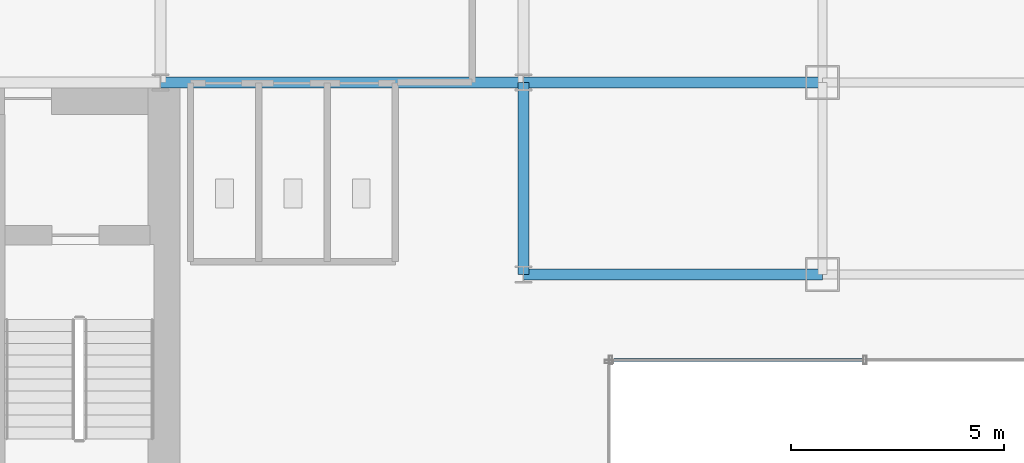
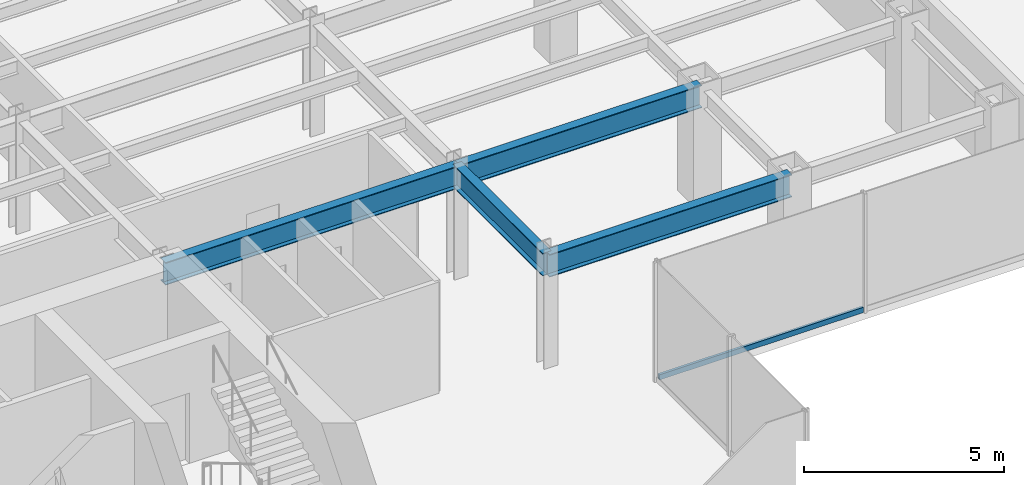
# One storey, part 9 of 25: 4 beams, 1 member, 1 element without a shape of its own.
"""IFC4 building model written with IfcOpenShell, lengths in metres."""

import ifcopenshell
import ifcopenshell.guid

model = None  # the IFC model being written
_history = None  # IfcOwnerHistory: only IFC2X3 demands one
_inside = {}  # id of a spatial element -> (the spatial element, [elements in it])
_under = {}  # id of a project, library or spatial element -> (it, [spatial elements below it])
_declared = {}  # id of a project -> (the project, [libraries it declares])
_typed = {}  # id of a type object -> (the type object, [elements of that type])
_made_of = {}  # id of a material, layer set ... -> (it, [elements and type objects made of it])


def new_model(schema):
    """Start an empty IFC model of exactly this schema.

    Asked for "IFC4X3", IfcOpenShell would pick the latest addendum, in which some entities
    have other attributes; the version numbers below select the first issue.
    IFC2X3 requires an IfcOwnerHistory on every rooted entity: one is made here for all.
    """
    global model, _history
    if schema == "IFC4X3":
        model = ifcopenshell.file(schema_version=(4, 3, 0, 0))
    else:
        model = ifcopenshell.file(schema=schema)
    _inside.clear()
    _under.clear()
    _declared.clear()
    _typed.clear()
    _made_of.clear()
    _history = None
    if model.schema == "IFC2X3":
        org = make("IfcOrganization", Name="unknown")
        user = make(
            "IfcPersonAndOrganization",
            ThePerson=make("IfcPerson", FamilyName="unknown"),
            TheOrganization=org,
        )
        app = make(
            "IfcApplication",
            ApplicationDeveloper=org,
            Version="unknown",
            ApplicationFullName="unknown",
            ApplicationIdentifier="unknown",
        )
        _history = make(
            "IfcOwnerHistory",
            OwningUser=user,
            OwningApplication=app,
            ChangeAction="ADDED",
            CreationDate=0,
        )
    return model


def make(cls, **values):
    """One entity of the class cls with the attributes given. An attribute that is None is left unset."""
    return model.create_entity(
        cls, **{name: value for name, value in values.items() if value is not None}
    )


def rooted(cls, **values):
    """An entity with a GlobalId (a new one), such as an element, a storey or a relation."""
    return make(cls, GlobalId=ifcopenshell.guid.new(), OwnerHistory=_history, **values)


def si_unit(unit_type, name, prefix=None):
    """IfcSIUnit, for example si_unit("LENGTHUNIT", "METRE", prefix="MILLI")."""
    return make("IfcSIUnit", UnitType=unit_type, Prefix=prefix, Name=name)


def derived_unit(unit_type, elements):
    """IfcDerivedUnit: a product of units, each with its exponent."""
    return make(
        "IfcDerivedUnit",
        Elements=[
            make("IfcDerivedUnitElement", Unit=unit, Exponent=power)
            for unit, power in elements
        ],
        UnitType=unit_type,
    )


def assignment(units):
    """IfcUnitAssignment: the units of a project."""
    return None if units is None else make("IfcUnitAssignment", Units=units)


def point(xyz):
    """IfcCartesianPoint."""
    return None if xyz is None else make("IfcCartesianPoint", Coordinates=xyz)


def direction(xyz):
    """IfcDirection."""
    return None if xyz is None else make("IfcDirection", DirectionRatios=xyz)


def frame(location, z_axis=None, x_axis=None):
    """IfcAxis2Placement3D, a coordinate frame: its origin and axes. An axis left out is left unset."""
    return make(
        "IfcAxis2Placement3D",
        Location=point(location),
        Axis=direction(z_axis),
        RefDirection=direction(x_axis),
    )


def frame_2d(location, x_axis=None):
    """IfcAxis2Placement2D, a coordinate frame in the plane: its origin and x axis."""
    return make(
        "IfcAxis2Placement2D", Location=point(location), RefDirection=direction(x_axis)
    )


def origin():
    """The frame at (0, 0, 0) with its axes left unset."""
    return frame((0.0, 0.0, 0.0))


def origin_2d():
    """The frame at (0, 0) in the plane with its x axis left unset."""
    return frame_2d((0.0, 0.0))


def place(relative_to, where):
    """IfcLocalPlacement: puts the frame where relative to a parent placement (None: the world)."""
    return make(
        "IfcLocalPlacement", PlacementRelTo=relative_to, RelativePlacement=where
    )


def context(
    kind, dimensions, precision=None, world=None, true_north=None, identifier=None
):
    """IfcGeometricRepresentationContext, for example the 3D "Model" context."""
    return make(
        "IfcGeometricRepresentationContext",
        ContextIdentifier=identifier,
        ContextType=kind,
        CoordinateSpaceDimension=dimensions,
        Precision=precision,
        WorldCoordinateSystem=world,
        TrueNorth=true_north,
    )


def subcontext(parent, identifier, kind, view, scale=None):
    """IfcGeometricRepresentationSubContext, for example "Body" below "Model"."""
    return make(
        "IfcGeometricRepresentationSubContext",
        ContextIdentifier=identifier,
        ContextType=kind,
        ParentContext=parent,
        TargetScale=scale,
        TargetView=view,
    )


def project(units=None, contexts=None):
    """IfcProject with its units and contexts."""
    return rooted(
        "IfcProject",
        Name="project",
        RepresentationContexts=contexts,
        UnitsInContext=assignment(units),
    )


def spatial(cls, under=None, at=None, **own):
    """A site, building, storey or space (cls), placed at a placement, below another one or the project."""
    s = rooted(cls, ObjectPlacement=at, **own)
    if under is not None:
        _under.setdefault(under.id(), (under, []))[1].append(s)
    return s


def profile(cls, at=None, kind="AREA", **sizes):
    """A parametric profile (cls). Its sizes go by their IFC names, for example OverallWidth=200.0."""
    return make(cls, ProfileType=kind, Position=at, **sizes)


def hollow_rectangle(**sizes):
    """IfcRectangleHollowProfileDef."""
    return profile("IfcRectangleHollowProfileDef", **sizes)


def i_section(**sizes):
    """IfcIShapeProfileDef."""
    return profile("IfcIShapeProfileDef", **sizes)


def extrude(swept, where, along, depth):
    """IfcExtrudedAreaSolid: the profile swept, set in the frame where, extruded along a direction by depth."""
    return make(
        "IfcExtrudedAreaSolid",
        SweptArea=swept,
        Position=where,
        ExtrudedDirection=direction(along),
        Depth=depth,
    )


def shape(context_of_items, identifier, shape_type, items):
    """IfcShapeRepresentation: the items that make up one representation, for example the "Body"."""
    return make(
        "IfcShapeRepresentation",
        ContextOfItems=context_of_items,
        RepresentationIdentifier=identifier,
        RepresentationType=shape_type,
        Items=items,
    )


def source(mapping_origin, context_of_items, identifier, shape_type, items):
    """IfcRepresentationMap: a shape defined once, which mapped items show again and again."""
    return make(
        "IfcRepresentationMap",
        MappingOrigin=mapping_origin,
        MappedRepresentation=shape(context_of_items, identifier, shape_type, items),
    )


def transform(
    local_origin,
    x_axis=None,
    y_axis=None,
    z_axis=None,
    scale=None,
    scale2=None,
    scale3=None,
    uniform=True,
):
    """IfcCartesianTransformationOperator3D, or its non-uniform kind. x_axis, y_axis, z_axis: its Axis1, 2, 3."""
    if uniform:
        return make(
            "IfcCartesianTransformationOperator3D",
            Axis1=direction(x_axis),
            Axis2=direction(y_axis),
            LocalOrigin=point(local_origin),
            Scale=scale,
            Axis3=direction(z_axis),
        )
    return make(
        "IfcCartesianTransformationOperator3DnonUniform",
        Axis1=direction(x_axis),
        Axis2=direction(y_axis),
        LocalOrigin=point(local_origin),
        Scale=scale,
        Axis3=direction(z_axis),
        Scale2=scale2,
        Scale3=scale3,
    )


def mapped(mapping_source, mapping_target):
    """IfcMappedItem: shows the shape of a source again, moved by a transform."""
    return make(
        "IfcMappedItem", MappingSource=mapping_source, MappingTarget=mapping_target
    )


def material(Name=None, Category=None):
    """IfcMaterial."""
    return make("IfcMaterial", Name=Name, Category=Category)


def material_profile(
    of_material, cross_section, Name=None, Category=None, Priority=None
):
    """IfcMaterialProfile: a cross section and its material."""
    return make(
        "IfcMaterialProfile",
        Name=Name,
        Material=of_material,
        Profile=cross_section,
        Priority=Priority,
        Category=Category,
    )


def profile_set(profiles, Name=None, composite=None):
    """IfcMaterialProfileSet."""
    return make(
        "IfcMaterialProfileSet",
        Name=Name,
        MaterialProfiles=profiles,
        CompositeProfile=composite,
    )


def made_of(thing, what):
    """Note that an element or type object is made of a material, layer set ...; save() writes the relation."""
    if what is not None:
        _made_of.setdefault(what.id(), (what, []))[1].append(thing)
    return thing


def type_object(cls, material=None, **own):
    """A type object (cls), such as IfcWallType, which elements share."""
    return made_of(rooted(cls, **own), material)


def element(
    cls,
    number,
    at=None,
    inside=None,
    cuts=None,
    type_object=None,
    material=None,
    context=None,
    identifier="Body",
    shape_type=None,
    held_by="IfcProductDefinitionShape",
    body=None,
    shapes=None,
    **own,
):
    """One element of the class cls, such as IfcWall. Its Tag is "e" and its number.

    at: its placement. inside: the storey or other place that contains it. cuts: it is an
    opening in that element (IfcRelVoidsElement). A single representation is given by context,
    identifier, shape_type and body (its items); several are given by shapes. held_by: the class
    of the entity that holds the representations. save() writes the other relations.
    """
    e = rooted(cls, Tag="e%d" % number, ObjectPlacement=at, **own)
    if body is not None:
        shapes = [shape(context, identifier, shape_type, body)]
    if shapes is not None:
        e.Representation = make(held_by, Representations=shapes)
    if inside is not None:
        _inside.setdefault(inside.id(), (inside, []))[1].append(e)
    if cuts is not None:
        rooted(
            "IfcRelVoidsElement", RelatingBuildingElement=cuts, RelatedOpeningElement=e
        )
    if type_object is not None:
        _typed.setdefault(type_object.id(), (type_object, []))[1].append(e)
    return made_of(e, material)


def aggregate(whole, parts):
    """IfcRelAggregates: a whole, such as a stair, and the parts it consists of."""
    return rooted("IfcRelAggregates", RelatingObject=whole, RelatedObjects=parts)


def save(model, path):
    """Write the relations noted so far, then the file.

    IfcRelAggregates (storeys below a building ...), IfcRelContainedInSpatialStructure (elements
    in a storey), IfcRelDefinesByType, IfcRelAssociatesMaterial and IfcRelDeclares: one each for
    every whole, place, type object, material and project.
    """
    for whole, parts in _under.values():
        aggregate(whole, parts)
    for where, things in _inside.values():
        rooted(
            "IfcRelContainedInSpatialStructure",
            RelatedElements=things,
            RelatingStructure=where,
        )
    for kind, things in _typed.values():
        rooted("IfcRelDefinesByType", RelatedObjects=things, RelatingType=kind)
    for what, things in _made_of.values():
        rooted("IfcRelAssociatesMaterial", RelatedObjects=things, RelatingMaterial=what)
    for by, libraries in _declared.values():
        rooted("IfcRelDeclares", RelatingContext=by, RelatedDefinitions=libraries)
    model.write(path)


model = new_model("IFC4")

# Units and contexts
model_context = context("Model", 3, precision=1e-05, world=origin(), true_north=direction((0.0, 1.0)))
body_context = subcontext(model_context, "Body", "Model", "MODEL_VIEW")
ifc_project = project(units=[si_unit("LENGTHUNIT", "METRE"), si_unit("AREAUNIT", "SQUARE_METRE"), si_unit("VOLUMEUNIT", "CUBIC_METRE"), si_unit("PLANEANGLEUNIT", "RADIAN"), si_unit("MASSUNIT", "GRAM", prefix="KILO"), derived_unit("THERMALTRANSMITTANCEUNIT", [(si_unit("POWERUNIT", "WATT"), 1), (si_unit("LENGTHUNIT", "METRE"), -2), (si_unit("THERMODYNAMICTEMPERATUREUNIT", "KELVIN"), -1)])], contexts=[model_context])

# Site, building, storey
site_placement = place(None, origin())
site = spatial("IfcSite", under=ifc_project, at=site_placement, CompositionType="ELEMENT")
building_placement = place(site_placement, origin())
building = spatial("IfcBuilding", under=site, at=building_placement, Name="Skarnbrae Concourse Arena and Tower", CompositionType="ELEMENT")
storey_placement = place(building_placement, frame((0.0, 0.0, 88.64990234375)))
storey = spatial("IfcBuildingStorey", under=building, at=storey_placement, Name="L21", CompositionType="ELEMENT", Elevation=88.64990234375)

# Beams
ifc_material_1 = material(Name="Steel CSA G40.21 350W", Category="steel")
ifc_material_profile_1 = material_profile(ifc_material_1, i_section(OverallWidth=0.256103515625, OverallDepth=0.693115234375, WebThickness=0.014404296875, FlangeThickness=0.023681640625, at=origin_2d()), Name="W690X170")
ifc_profile_set_1 = profile_set([ifc_material_profile_1], Name="Steel CSA G40.21 350W")
beam_type = type_object("IfcBeamType", Name="BM-GIRD-W690X170", PredefinedType="BEAM", material=ifc_profile_set_1)
shared_shape_1 = source(origin(), body_context, "Body", "SweptSolid", [
    extrude(i_section(OverallWidth=0.256103515625, OverallDepth=0.693115234375, WebThickness=0.014404296875, FlangeThickness=0.023681640625, at=origin_2d()), origin(), (0.0, 0.0, 1.0), 7.0),
])
for number, where, z_axis, x_axis, name in (
    (1, (42.0, 9.5, 3.0537109375), (1.0, 0.0, 0.0), (0.0, 1.0, 0.0), "L21 Primary E-W girder Y9.5-2"),
    (2, (42.0, 14.0, 3.0537109375), (1.0, 0.0, 0.0), (0.0, 1.0, 0.0), "L21 Primary E-W girder Y14.0-7"),
):
    element("IfcBeam", number, at=place(storey_placement, frame(where, z_axis=z_axis, x_axis=x_axis)), inside=storey, type_object=beam_type, Name=name, PredefinedType="BEAM", context=body_context, shape_type="MappedRepresentation", body=[
        mapped(shared_shape_1, transform((0.0, 0.0, 0.0))),
    ])
shared_shape_2 = source(origin(), body_context, "Body", "SweptSolid", [
    extrude(i_section(OverallWidth=0.256103515625, OverallDepth=0.693115234375, WebThickness=0.014404296875, FlangeThickness=0.023681640625, at=origin_2d()), origin(), (0.0, 0.0, 1.0), 8.5),
])
beam_1_placement = place(storey_placement, frame((33.5, 14.0, 3.0537109375), z_axis=(1.0, 0.0, 0.0), x_axis=(0.0, 1.0, 0.0)))
element("IfcBeam", 3, at=beam_1_placement, inside=storey, type_object=beam_type, Name="L21 Primary E-W girder Y14.0-6", PredefinedType="BEAM", context=body_context, shape_type="MappedRepresentation", body=[
    mapped(shared_shape_2, transform((0.0, 0.0, 0.0))),
])
shared_shape_3 = source(origin(), body_context, "Body", "SweptSolid", [
    extrude(i_section(OverallWidth=0.256103515625, OverallDepth=0.693115234375, WebThickness=0.014404296875, FlangeThickness=0.023681640625, at=origin_2d()), origin(), (0.0, 0.0, 1.0), 4.5),
])
beam_2_placement = place(storey_placement, frame((42.0, 9.5, 3.0537109375), z_axis=(0.0, 1.0, 0.0), x_axis=(-1.0, 0.0, 0.0)))
element("IfcBeam", 4, at=beam_2_placement, inside=storey, type_object=beam_type, Name="L21 Primary N-S girder X42.0-1", PredefinedType="BEAM", context=body_context, shape_type="MappedRepresentation", body=[
    mapped(shared_shape_3, transform((0.0, 0.0, 0.0))),
])

# Curtain wall, member
ifc_material_2 = material(Name="Bronze anodised aluminium 6063-T6", Category="aluminium")
curtain_wall_type = type_object("IfcCurtainWallType", Name="CW-SYS-04-MIDZONE", PredefinedType="USERDEFINED", material=ifc_material_2)
curtain_wall_placement = place(storey_placement, origin())
curtain_wall = element("IfcCurtainWall", 5, at=curtain_wall_placement, inside=storey, type_object=curtain_wall_type, Name="L21 Unitised curtain wall CW-L21-E03", ObjectType="UNITISED CURTAIN WALL", PredefinedType="USERDEFINED")
ifc_material_profile_2 = material_profile(ifc_material_2, hollow_rectangle(XDim=0.074951171875, YDim=0.159912109375, WallThickness=0.00439453125, at=origin_2d()), Name="ALU-TRAN-75X160")
ifc_profile_set_2 = profile_set([ifc_material_profile_2], Name="Bronze anodised aluminium 6063-T6")
member_type = type_object("IfcMemberType", Name="CWT-CW-04", PredefinedType="USERDEFINED", material=ifc_profile_set_2)
shared_shape_4 = source(origin(), body_context, "Body", "SweptSolid", [
    extrude(hollow_rectangle(XDim=0.074951171875, YDim=0.159912109375, WallThickness=0.00439453125, at=origin_2d()), origin(), (0.0, 0.0, 1.0), 5.887451171875),
])
member_placement = place(storey_placement, frame((44.074951171875, 7.5, 0.080078125), z_axis=(1.0, 0.0, 0.0), x_axis=(0.0, 1.0, 0.0)))
member = element("IfcMember", 6, at=member_placement, type_object=member_type, Name="CW-L21-E03 Transom 1", ObjectType="TRANSOM", PredefinedType="USERDEFINED", context=body_context, shape_type="MappedRepresentation", body=[
    mapped(shared_shape_4, transform((0.0, 0.0, 0.0))),
])
aggregate(curtain_wall, [member])

save(model, "model.ifc")
